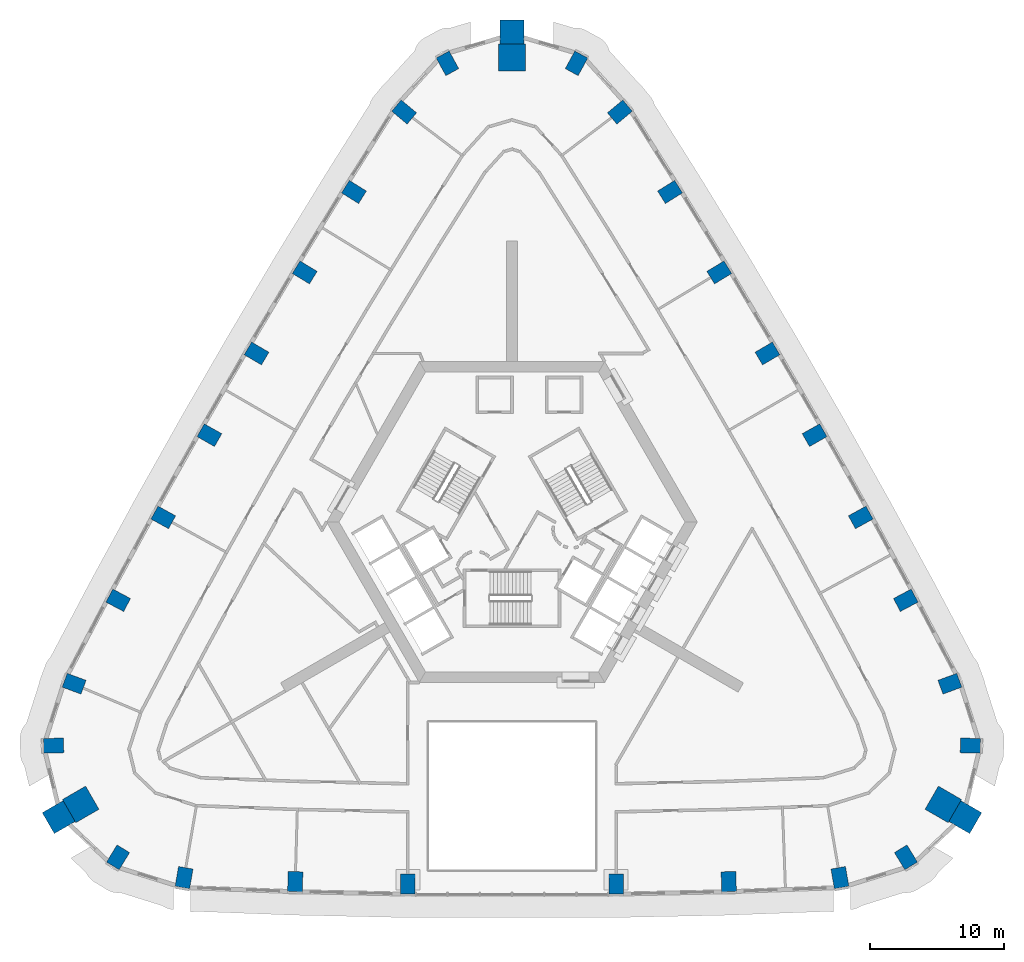
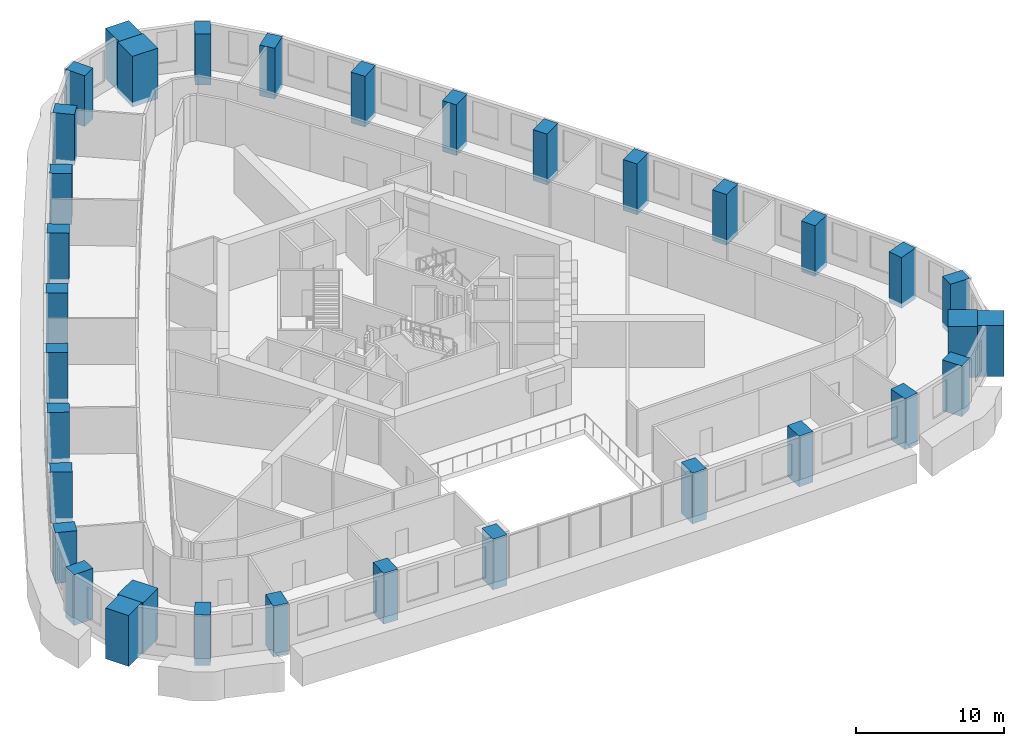
# One storey, part 1 of 17: 34 columns.
"""IFC4 building model written with IfcOpenShell, lengths in metres."""

import ifcopenshell
import ifcopenshell.guid

model = None  # the IFC model being written
_history = None  # IfcOwnerHistory: only IFC2X3 demands one
_inside = {}  # id of a spatial element -> (the spatial element, [elements in it])
_under = {}  # id of a project, library or spatial element -> (it, [spatial elements below it])
_declared = {}  # id of a project -> (the project, [libraries it declares])
_typed = {}  # id of a type object -> (the type object, [elements of that type])
_made_of = {}  # id of a material, layer set ... -> (it, [elements and type objects made of it])


def new_model(schema):
    """Start an empty IFC model of exactly this schema.

    Asked for "IFC4X3", IfcOpenShell would pick the latest addendum, in which some entities
    have other attributes; the version numbers below select the first issue.
    IFC2X3 requires an IfcOwnerHistory on every rooted entity: one is made here for all.
    """
    global model, _history
    if schema == "IFC4X3":
        model = ifcopenshell.file(schema_version=(4, 3, 0, 0))
    else:
        model = ifcopenshell.file(schema=schema)
    _inside.clear()
    _under.clear()
    _declared.clear()
    _typed.clear()
    _made_of.clear()
    _history = None
    if model.schema == "IFC2X3":
        org = make("IfcOrganization", Name="unknown")
        user = make(
            "IfcPersonAndOrganization",
            ThePerson=make("IfcPerson", FamilyName="unknown"),
            TheOrganization=org,
        )
        app = make(
            "IfcApplication",
            ApplicationDeveloper=org,
            Version="unknown",
            ApplicationFullName="unknown",
            ApplicationIdentifier="unknown",
        )
        _history = make(
            "IfcOwnerHistory",
            OwningUser=user,
            OwningApplication=app,
            ChangeAction="ADDED",
            CreationDate=0,
        )
    return model


def make(cls, **values):
    """One entity of the class cls with the attributes given. An attribute that is None is left unset."""
    return model.create_entity(
        cls, **{name: value for name, value in values.items() if value is not None}
    )


def rooted(cls, **values):
    """An entity with a GlobalId (a new one), such as an element, a storey or a relation."""
    return make(cls, GlobalId=ifcopenshell.guid.new(), OwnerHistory=_history, **values)


def si_unit(unit_type, name, prefix=None):
    """IfcSIUnit, for example si_unit("LENGTHUNIT", "METRE", prefix="MILLI")."""
    return make("IfcSIUnit", UnitType=unit_type, Prefix=prefix, Name=name)


def assignment(units):
    """IfcUnitAssignment: the units of a project."""
    return None if units is None else make("IfcUnitAssignment", Units=units)


def point(xyz):
    """IfcCartesianPoint."""
    return None if xyz is None else make("IfcCartesianPoint", Coordinates=xyz)


def direction(xyz):
    """IfcDirection."""
    return None if xyz is None else make("IfcDirection", DirectionRatios=xyz)


def frame(location, z_axis=None, x_axis=None):
    """IfcAxis2Placement3D, a coordinate frame: its origin and axes. An axis left out is left unset."""
    return make(
        "IfcAxis2Placement3D",
        Location=point(location),
        Axis=direction(z_axis),
        RefDirection=direction(x_axis),
    )


def frame_2d(location, x_axis=None):
    """IfcAxis2Placement2D, a coordinate frame in the plane: its origin and x axis."""
    return make(
        "IfcAxis2Placement2D", Location=point(location), RefDirection=direction(x_axis)
    )


def origin():
    """The frame at (0, 0, 0) with its axes left unset."""
    return frame((0.0, 0.0, 0.0))


def origin_2d():
    """The frame at (0, 0) in the plane with its x axis left unset."""
    return frame_2d((0.0, 0.0))


def place(relative_to, where):
    """IfcLocalPlacement: puts the frame where relative to a parent placement (None: the world)."""
    return make(
        "IfcLocalPlacement", PlacementRelTo=relative_to, RelativePlacement=where
    )


def context(
    kind, dimensions, precision=None, world=None, true_north=None, identifier=None
):
    """IfcGeometricRepresentationContext, for example the 3D "Model" context."""
    return make(
        "IfcGeometricRepresentationContext",
        ContextIdentifier=identifier,
        ContextType=kind,
        CoordinateSpaceDimension=dimensions,
        Precision=precision,
        WorldCoordinateSystem=world,
        TrueNorth=true_north,
    )


def subcontext(parent, identifier, kind, view, scale=None):
    """IfcGeometricRepresentationSubContext, for example "Body" below "Model"."""
    return make(
        "IfcGeometricRepresentationSubContext",
        ContextIdentifier=identifier,
        ContextType=kind,
        ParentContext=parent,
        TargetScale=scale,
        TargetView=view,
    )


def project(units=None, contexts=None):
    """IfcProject with its units and contexts."""
    return rooted(
        "IfcProject",
        Name="project",
        RepresentationContexts=contexts,
        UnitsInContext=assignment(units),
    )


def spatial(cls, under=None, at=None, **own):
    """A site, building, storey or space (cls), placed at a placement, below another one or the project."""
    s = rooted(cls, ObjectPlacement=at, **own)
    if under is not None:
        _under.setdefault(under.id(), (under, []))[1].append(s)
    return s


def profile(cls, at=None, kind="AREA", **sizes):
    """A parametric profile (cls). Its sizes go by their IFC names, for example OverallWidth=200.0."""
    return make(cls, ProfileType=kind, Position=at, **sizes)


def rectangle(**sizes):
    """IfcRectangleProfileDef."""
    return profile("IfcRectangleProfileDef", **sizes)


def extrude(swept, where, along, depth):
    """IfcExtrudedAreaSolid: the profile swept, set in the frame where, extruded along a direction by depth."""
    return make(
        "IfcExtrudedAreaSolid",
        SweptArea=swept,
        Position=where,
        ExtrudedDirection=direction(along),
        Depth=depth,
    )


def shape(context_of_items, identifier, shape_type, items):
    """IfcShapeRepresentation: the items that make up one representation, for example the "Body"."""
    return make(
        "IfcShapeRepresentation",
        ContextOfItems=context_of_items,
        RepresentationIdentifier=identifier,
        RepresentationType=shape_type,
        Items=items,
    )


def material(Name=None, Category=None):
    """IfcMaterial."""
    return make("IfcMaterial", Name=Name, Category=Category)


def material_profile(
    of_material, cross_section, Name=None, Category=None, Priority=None
):
    """IfcMaterialProfile: a cross section and its material."""
    return make(
        "IfcMaterialProfile",
        Name=Name,
        Material=of_material,
        Profile=cross_section,
        Priority=Priority,
        Category=Category,
    )


def profile_set(profiles, Name=None, composite=None):
    """IfcMaterialProfileSet."""
    return make(
        "IfcMaterialProfileSet",
        Name=Name,
        MaterialProfiles=profiles,
        CompositeProfile=composite,
    )


def made_of(thing, what):
    """Note that an element or type object is made of a material, layer set ...; save() writes the relation."""
    if what is not None:
        _made_of.setdefault(what.id(), (what, []))[1].append(thing)
    return thing


def type_object(cls, material=None, **own):
    """A type object (cls), such as IfcWallType, which elements share."""
    return made_of(rooted(cls, **own), material)


def element(
    cls,
    number,
    at=None,
    inside=None,
    cuts=None,
    type_object=None,
    material=None,
    context=None,
    identifier="Body",
    shape_type=None,
    held_by="IfcProductDefinitionShape",
    body=None,
    shapes=None,
    **own,
):
    """One element of the class cls, such as IfcWall. Its Tag is "e" and its number.

    at: its placement. inside: the storey or other place that contains it. cuts: it is an
    opening in that element (IfcRelVoidsElement). A single representation is given by context,
    identifier, shape_type and body (its items); several are given by shapes. held_by: the class
    of the entity that holds the representations. save() writes the other relations.
    """
    e = rooted(cls, Tag="e%d" % number, ObjectPlacement=at, **own)
    if body is not None:
        shapes = [shape(context, identifier, shape_type, body)]
    if shapes is not None:
        e.Representation = make(held_by, Representations=shapes)
    if inside is not None:
        _inside.setdefault(inside.id(), (inside, []))[1].append(e)
    if cuts is not None:
        rooted(
            "IfcRelVoidsElement", RelatingBuildingElement=cuts, RelatedOpeningElement=e
        )
    if type_object is not None:
        _typed.setdefault(type_object.id(), (type_object, []))[1].append(e)
    return made_of(e, material)


def aggregate(whole, parts):
    """IfcRelAggregates: a whole, such as a stair, and the parts it consists of."""
    return rooted("IfcRelAggregates", RelatingObject=whole, RelatedObjects=parts)


def save(model, path):
    """Write the relations noted so far, then the file.

    IfcRelAggregates (storeys below a building ...), IfcRelContainedInSpatialStructure (elements
    in a storey), IfcRelDefinesByType, IfcRelAssociatesMaterial and IfcRelDeclares: one each for
    every whole, place, type object, material and project.
    """
    for whole, parts in _under.values():
        aggregate(whole, parts)
    for where, things in _inside.values():
        rooted(
            "IfcRelContainedInSpatialStructure",
            RelatedElements=things,
            RelatingStructure=where,
        )
    for kind, things in _typed.values():
        rooted("IfcRelDefinesByType", RelatedObjects=things, RelatingType=kind)
    for what, things in _made_of.values():
        rooted("IfcRelAssociatesMaterial", RelatedObjects=things, RelatingMaterial=what)
    for by, libraries in _declared.values():
        rooted("IfcRelDeclares", RelatingContext=by, RelatedDefinitions=libraries)
    model.write(path)


model = new_model("IFC4")

# Units and contexts
model_context = context("Model", 3, precision=1e-05, world=origin(), true_north=direction((0.0, 1.0)))
body_context = subcontext(model_context, "Body", "Model", "MODEL_VIEW")
ifc_project = project(units=[si_unit("LENGTHUNIT", "METRE"), si_unit("AREAUNIT", "SQUARE_METRE"), si_unit("VOLUMEUNIT", "CUBIC_METRE"), si_unit("PLANEANGLEUNIT", "RADIAN"), si_unit("MASSUNIT", "GRAM", prefix="KILO")], contexts=[model_context])

# Site, building, storey
site_placement = place(None, origin())
site = spatial("IfcSite", under=ifc_project, at=site_placement, CompositionType="ELEMENT")
building_placement = place(site_placement, origin())
building = spatial("IfcBuilding", under=site, at=building_placement, Name="Entoto Arch Interchange Tower", CompositionType="ELEMENT")
storey_placement = place(building_placement, frame((0.0, 0.0, 167.60009765625)))
storey = spatial("IfcBuildingStorey", under=building, at=storey_placement, Name="L37", CompositionType="ELEMENT", Elevation=167.60009765625)

# Columns
ifc_material_1 = material(Name="Concrete C50/60", Category="concrete")
ifc_material_profile_1 = material_profile(ifc_material_1, rectangle(XDim=1.10009765625, YDim=1.5, at=origin_2d()))
ifc_profile_set_1 = profile_set([ifc_material_profile_1], Name="Concrete C50/60")
column_type_1 = type_object("IfcColumnType", Name="Column RC 1100x1500 C50/60", PredefinedType="COLUMN", material=ifc_profile_set_1)
for number, where, z_axis, x_axis, name in (
    (1, (-24.51806640625, -24.090087890625, -0.400146484375), (0.0, 0.0, 1.0), (-0.985753417505, 0.168196908046, 0.0), "Column S01 L37"),
    (2, (-16.205078125, -24.389892578125, -0.400146484375), (0.0, 0.0, 1.0), (-0.999496089207, 0.031742206272, 0.0), "Column S02 L37"),
    (3, (-7.7890625, -24.572998046875, -0.400146484375), (0.0, 0.0, 1.0), (-0.999931015761, 0.011745795767, 0.0), "Column S03 L37"),
    (4, (7.7890625, -24.572998046875, -0.400146484375), (0.0, 0.0, 1.0), (0.999931015761, 0.011745795767, 0.0), "Column S04 L37"),
    (5, (16.205078125, -24.389892578125, -0.400146484375), (0.0, 0.0, 1.0), (0.999496089207, 0.031742206272, 0.0), "Column S05 L37"),
    (6, (24.51806640625, -24.090087890625, -0.400146484375), (0.0, 0.0, 1.0), (0.985753417505, 0.168196908046, 0.0), "Column S06 L37"),
    (7, (29.449951171875, -22.571044921875, -0.400146484375), (0.0, 0.0, 1.0), (0.853714435155, 0.520741455243, 0.0), "Column SE1 L37"),
    (8, (34.27099609375, -14.218994140625, -0.400146484375), (0.0, 0.0, 1.0), (0.024118111467, 0.999709116043, 0.0), "Column SE3 L37"),
    (9, (32.738037109375, -9.593017578125, -0.400146484375), (0.0, 0.0, 1.0), (-0.346591874029, 0.93801603017, 0.0), "Column NE01 L37"),
    (10, (29.43994140625, -3.35498046875, -0.400146484375), (0.0, 0.0, 1.0), (-0.469856776649, 0.882742663202, 0.0), "Column NE02 L37"),
    (11, (26.071044921875, 2.841064453125, -0.400146484375), (0.0, 0.0, 1.0), (-0.481983074142, 0.876180527198, 0.0), "Column NE03 L37"),
    (12, (22.623046875, 8.990966796875, -0.400146484375), (0.0, 0.0, 1.0), (-0.49401774245, 0.869451821635, 0.0), "Column NE04 L37"),
    (13, (19.09912109375, 15.097900390625, -0.400146484375), (0.0, 0.0, 1.0), (-0.505958493678, 0.8625578257, 0.0), "Column NE05 L37"),
    (14, (15.49609375, 21.157958984375, -0.400146484375), (0.0, 0.0, 1.0), (-0.517803057784, 0.85549985, 0.0), "Column NE06 L37"),
    (15, (11.81494140625, 27.172119140625, -0.400146484375), (0.0, 0.0, 1.0), (-0.529549183013, 0.848279236319, 0.0), "Column NE07 L37"),
    (16, (8.06103515625, 33.14892578125, -0.400146484375), (0.0, 0.0, 1.0), (-0.63904977427, 0.76916538274, 0.0), "Column NE08 L37"),
    (17, (4.822021484375, 36.7900390625, -0.400146484375), (0.0, 0.0, 1.0), (-0.877832546621, 0.4789676608, 0.0), "Column N1 L37"),
    (18, (-4.822021484375, 36.7900390625, -0.400146484375), (0.0, 0.0, 1.0), (0.877832546621, 0.4789676608, 0.0), "Column N3 L37"),
    (19, (-8.06103515625, 33.14892578125, -0.400146484375), (0.0, 0.0, 1.0), (0.63904977427, 0.76916538274, 0.0), "Column NW01 L37"),
    (20, (-11.81494140625, 27.172119140625, -0.400146484375), (0.0, 0.0, 1.0), (0.529549183013, 0.848279236319, 0.0), "Column NW02 L37"),
    (21, (-15.49609375, 21.157958984375, -0.400146484375), (0.0, 0.0, 1.0), (0.517803057784, 0.85549985, 0.0), "Column NW03 L37"),
    (22, (-19.09912109375, 15.097900390625, -0.400146484375), (0.0, 0.0, 1.0), (0.505958493678, 0.8625578257, 0.0), "Column NW04 L37"),
    (23, (-22.623046875, 8.990966796875, -0.400146484375), (0.0, 0.0, 1.0), (0.49401774245, 0.869451821635, 0.0), "Column NW05 L37"),
    (24, (-26.071044921875, 2.841064453125, -0.400146484375), (0.0, 0.0, 1.0), (0.481983074142, 0.876180527198, 0.0), "Column NW06 L37"),
    (25, (-29.43994140625, -3.35498046875, -0.400146484375), (0.0, 0.0, 1.0), (0.469856776649, 0.882742663202, 0.0), "Column NW07 L37"),
    (26, (-32.738037109375, -9.593017578125, -0.400146484375), (0.0, 0.0, 1.0), (0.346591874029, 0.93801603017, 0.0), "Column NW08 L37"),
    (27, (-34.27099609375, -14.218994140625, -0.400146484375), (0.0, 0.0, 1.0), (-0.024118111467, 0.999709116043, 0.0), "Column SW1 L37"),
    (28, (-29.449951171875, -22.571044921875, -0.400146484375), (0.0, 0.0, 1.0), (-0.853714435155, 0.520741455243, 0.0), "Column SW3 L37"),
):
    element("IfcColumn", number, at=place(storey_placement, frame(where, z_axis=z_axis, x_axis=x_axis)), inside=storey, type_object=column_type_1, Name=name, PredefinedType="COLUMN", context=body_context, shape_type="SweptSolid", body=[
        extrude(rectangle(XDim=1.10009765625, YDim=1.5, at=origin_2d()), origin(), (0.0, 0.0, 1.0), 4.199951171875),
    ])
ifc_material_2 = material(Name="Precast concrete C40/50", Category="concrete")
ifc_material_profile_2 = material_profile(ifc_material_2, rectangle(XDim=1.800048828125, YDim=1.800048828125, at=origin_2d()))
ifc_profile_set_2 = profile_set([ifc_material_profile_2], Name="Precast concrete C40/50")
column_type_2 = type_object("IfcColumnType", Name="Frame post RC 1800x1800 precast C40/50", PredefinedType="COLUMN", material=ifc_profile_set_2)
for number, where, z_axis, x_axis, name in (
    (29, (33.888916015625, -19.56494140625, -0.400146484375), (0.0, 0.0, 1.0), (-0.866025403784, 0.5, 0.0), "Frame post SE L37"),
    (30, (0.0, 39.131103515625, -0.400146484375), (0.0, 0.0, 1.0), (0.0, 1.0, 0.0), "Frame post N L37"),
    (31, (-33.888916015625, -19.56494140625, -0.400146484375), (0.0, 0.0, 1.0), (0.866025403784, 0.5, 0.0), "Frame post SW L37"),
):
    element("IfcColumn", number, at=place(storey_placement, frame(where, z_axis=z_axis, x_axis=x_axis)), inside=storey, type_object=column_type_2, Name=name, PredefinedType="COLUMN", context=body_context, shape_type="SweptSolid", body=[
        extrude(rectangle(XDim=1.800048828125, YDim=1.800048828125, at=origin_2d()), origin(), (0.0, 0.0, 1.0), 4.199951171875),
    ])
ifc_material_profile_3 = material_profile(ifc_material_1, rectangle(XDim=2.0, YDim=2.0, at=origin_2d()))
ifc_profile_set_3 = profile_set([ifc_material_profile_3], Name="Concrete C50/60")
column_type_3 = type_object("IfcColumnType", Name="Mega column RC 2000x2000 C50/60", PredefinedType="COLUMN", material=ifc_profile_set_3)
for number, where, z_axis, x_axis, name in (
    (32, (32.243896484375, -18.614990234375, -0.400146484375), (0.0, 0.0, 1.0), (-0.866025403784, 0.5, 0.0), "Corner mega column SE2 L37"),
    (33, (0.0, 37.23095703125, -0.400146484375), (0.0, 0.0, 1.0), (0.0, 1.0, 0.0), "Corner mega column N2 L37"),
    (34, (-32.243896484375, -18.614990234375, -0.400146484375), (0.0, 0.0, 1.0), (0.866025403784, 0.5, 0.0), "Corner mega column SW2 L37"),
):
    element("IfcColumn", number, at=place(storey_placement, frame(where, z_axis=z_axis, x_axis=x_axis)), inside=storey, type_object=column_type_3, Name=name, PredefinedType="COLUMN", context=body_context, shape_type="SweptSolid", body=[
        extrude(rectangle(XDim=2.0, YDim=2.0, at=origin_2d()), origin(), (0.0, 0.0, 1.0), 4.199951171875),
    ])

save(model, "model.ifc")
